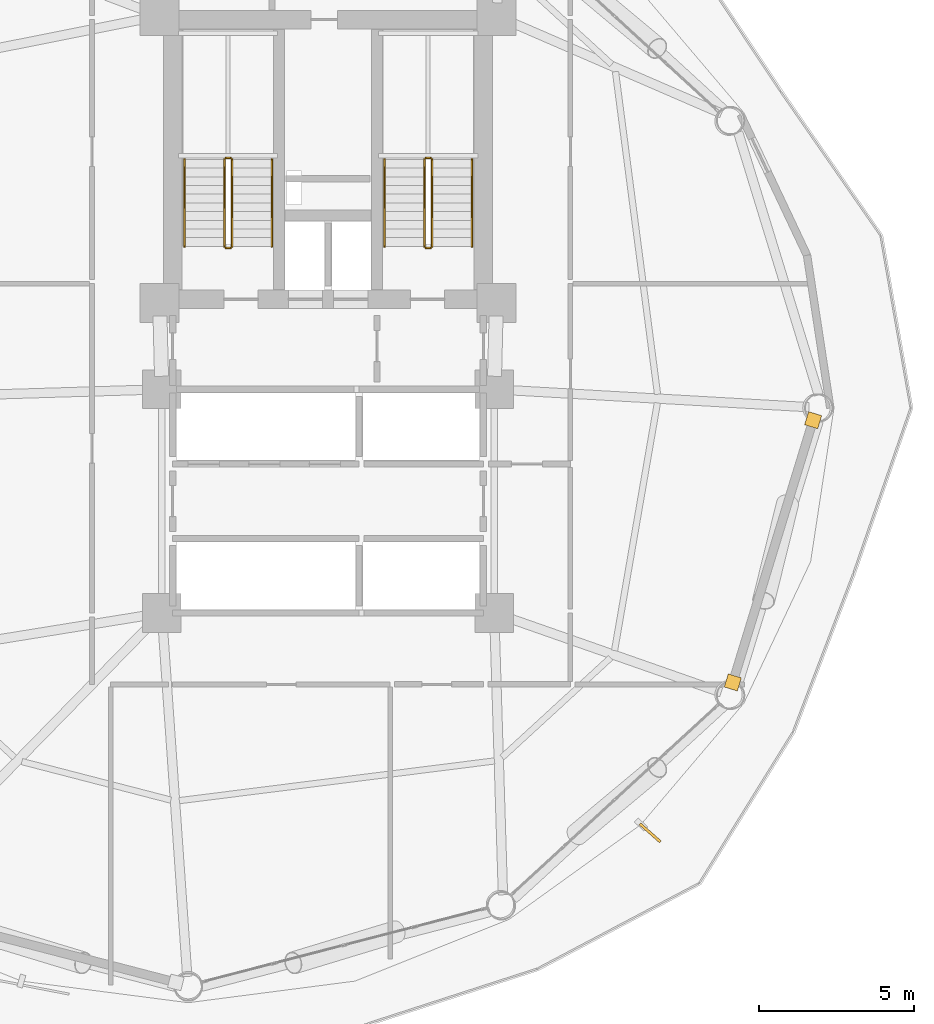
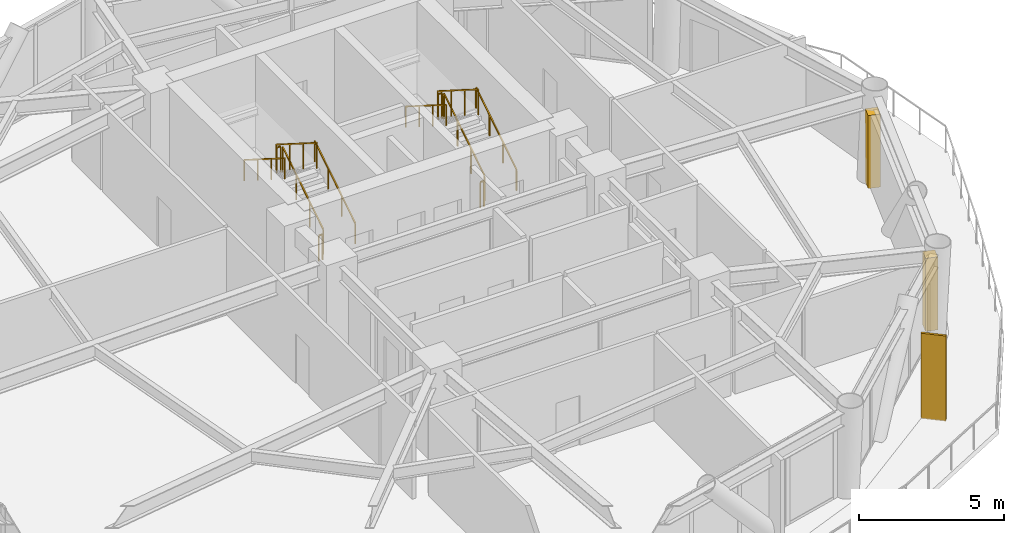
# One storey, part 22 of 23: 12 railings, 2 coverings, 1 shading device.
"""IFC4 building model written with IfcOpenShell, lengths in metres."""

from ifc_helpers import new_model, si_unit, direction, frame, origin, origin_2d, place, context, subcontext, project, spatial, rectangle, extrude, source, transform, mapped, material, layer, layer_set, type_object, type_shapes, element, save


model = new_model("IFC4")

# Units and contexts
model_context = context("Model", 3, precision=1e-05, world=origin(), true_north=direction((0.0, 1.0)))
body_context = subcontext(model_context, "Body", "Model", "MODEL_VIEW")
ifc_project = project(units=[si_unit("LENGTHUNIT", "METRE"), si_unit("AREAUNIT", "SQUARE_METRE"), si_unit("VOLUMEUNIT", "CUBIC_METRE"), si_unit("PLANEANGLEUNIT", "RADIAN"), si_unit("MASSUNIT", "GRAM", prefix="KILO")], contexts=[model_context])

# Site, building, storey
site_placement = place(None, origin())
site = spatial("IfcSite", under=ifc_project, at=site_placement, CompositionType="ELEMENT")
building_placement = place(site_placement, origin())
building = spatial("IfcBuilding", under=site, at=building_placement, Name="Varnakorn Sky Granary", CompositionType="ELEMENT")
storey_placement = place(building_placement, frame((0.0, 0.0, 31.5)))
storey = spatial("IfcBuildingStorey", under=building, at=storey_placement, Name="L07", CompositionType="ELEMENT", Elevation=31.5)

# Railings
ifc_material_1 = material(Name="Brushed Stainless Steel 316", Category="steel")
railing_type_1 = type_object("IfcRailingType", Name="RL-STAIR-1100", PredefinedType="GUARDRAIL", material=ifc_material_1)
railing_1_placement = place(storey_placement, frame((-0.090087890625, 5.199951171875, 0.17724609375)))
element("IfcRailing", 1, at=railing_1_placement, inside=storey, type_object=railing_type_1, Name="L07 ST-1 stair guard 1", PredefinedType="GUARDRAIL", context=body_context, shape_type="SweptSolid", body=[
    extrude(rectangle(XDim=0.048095703125, YDim=0.048095703125, at=origin_2d()), frame((0.0, 0.0, 1.076171875), z_axis=(0.0, 0.844908973607, 0.534910110503), x_axis=(-1.0, 0.0, 0.0)), (0.0, 0.0, 1.0), 3.31396484375),
    extrude(rectangle(XDim=0.0419921875, YDim=0.0419921875, at=origin_2d()), origin(), (0.0, 0.0, 1.0), 1.048095703125),
    extrude(rectangle(XDim=0.0419921875, YDim=0.0419921875, at=origin_2d()), frame((0.0, 0.933349609375, 0.5908203125)), (0.0, 0.0, 1.0), 1.048095703125),
    extrude(rectangle(XDim=0.0419921875, YDim=0.0419921875, at=origin_2d()), frame((0.0, 1.86669921875, 1.181884765625)), (0.0, 0.0, 1.0), 1.048095703125),
    extrude(rectangle(XDim=0.0419921875, YDim=0.0419921875, at=origin_2d()), frame((0.0, 2.800048828125, 1.772705078125)), (0.0, 0.0, 1.0), 1.048095703125),
])
railing_2_placement = place(storey_placement, frame((-0.139892578125, 8.050048828125, 1.949951171875)))
element("IfcRailing", 2, at=railing_2_placement, inside=storey, type_object=railing_type_1, Name="L07 ST-1 stair guard 2", PredefinedType="GUARDRAIL", context=body_context, shape_type="SweptSolid", body=[
    extrude(rectangle(XDim=0.048095703125, YDim=0.048095703125, at=origin_2d()), frame((0.0, 0.0, 1.076171875), z_axis=(-1.0, 0.0, 0.0), x_axis=(0.0, -1.0, 0.0)), (0.0, 0.0, 1.0), 0.150146484375),
    extrude(rectangle(XDim=0.0419921875, YDim=0.0419921875, at=origin_2d()), origin(), (0.0, 0.0, 1.0), 1.048095703125),
    extrude(rectangle(XDim=0.0419921875, YDim=0.0419921875, at=origin_2d()), frame((-0.150146484375, 0.0, 0.0)), (0.0, 0.0, 1.0), 1.048095703125),
])
railing_3_placement = place(storey_placement, frame((-0.340087890625, 8.0, 2.127197265625)))
element("IfcRailing", 3, at=railing_3_placement, inside=storey, type_object=railing_type_1, Name="L07 ST-1 stair guard 3", PredefinedType="GUARDRAIL", context=body_context, shape_type="SweptSolid", body=[
    extrude(rectangle(XDim=0.048095703125, YDim=0.048095703125, at=origin_2d()), frame((0.0, 0.0, 1.076171875), z_axis=(0.0, -0.844908973607, 0.534910110503), x_axis=(1.0, 0.0, 0.0)), (0.0, 0.0, 1.0), 3.31396484375),
    extrude(rectangle(XDim=0.0419921875, YDim=0.0419921875, at=origin_2d()), origin(), (0.0, 0.0, 1.0), 1.048095703125),
    extrude(rectangle(XDim=0.0419921875, YDim=0.0419921875, at=origin_2d()), frame((0.0, -0.933349609375, 0.5908203125)), (0.0, 0.0, 1.0), 1.048095703125),
    extrude(rectangle(XDim=0.0419921875, YDim=0.0419921875, at=origin_2d()), frame((0.0, -1.86669921875, 1.181884765625)), (0.0, 0.0, 1.0), 1.048095703125),
    extrude(rectangle(XDim=0.0419921875, YDim=0.0419921875, at=origin_2d()), frame((0.0, -2.800048828125, 1.772705078125)), (0.0, 0.0, 1.0), 1.048095703125),
])
railing_4_placement = place(storey_placement, frame((-0.139892578125, 5.14990234375, 0.0)))
element("IfcRailing", 4, at=railing_4_placement, inside=storey, type_object=railing_type_1, Name="L07 ST-1 stair guard 4", PredefinedType="GUARDRAIL", context=body_context, shape_type="SweptSolid", body=[
    extrude(rectangle(XDim=0.048095703125, YDim=0.048095703125, at=origin_2d()), frame((0.0, 0.0, 1.076171875), z_axis=(-1.0, 0.0, 0.0), x_axis=(0.0, -1.0, 0.0)), (0.0, 0.0, 1.0), 0.150146484375),
    extrude(rectangle(XDim=0.0419921875, YDim=0.0419921875, at=origin_2d()), origin(), (0.0, 0.0, 1.0), 1.048095703125),
    extrude(rectangle(XDim=0.0419921875, YDim=0.0419921875, at=origin_2d()), frame((-0.150146484375, 0.0, 0.0)), (0.0, 0.0, 1.0), 1.048095703125),
])
railing_5_placement = place(storey_placement, frame((6.35009765625, 5.199951171875, 0.17724609375)))
element("IfcRailing", 5, at=railing_5_placement, inside=storey, type_object=railing_type_1, Name="L07 ST-2 stair guard 1", PredefinedType="GUARDRAIL", context=body_context, shape_type="SweptSolid", body=[
    extrude(rectangle(XDim=0.048095703125, YDim=0.048095703125, at=origin_2d()), frame((0.0, 0.0, 1.076171875), z_axis=(0.0, 0.844908973607, 0.534910110503), x_axis=(-1.0, 0.0, 0.0)), (0.0, 0.0, 1.0), 3.31396484375),
    extrude(rectangle(XDim=0.0419921875, YDim=0.0419921875, at=origin_2d()), origin(), (0.0, 0.0, 1.0), 1.048095703125),
    extrude(rectangle(XDim=0.0419921875, YDim=0.0419921875, at=origin_2d()), frame((0.0, 0.933349609375, 0.5908203125)), (0.0, 0.0, 1.0), 1.048095703125),
    extrude(rectangle(XDim=0.0419921875, YDim=0.0419921875, at=origin_2d()), frame((0.0, 1.86669921875, 1.181884765625)), (0.0, 0.0, 1.0), 1.048095703125),
    extrude(rectangle(XDim=0.0419921875, YDim=0.0419921875, at=origin_2d()), frame((0.0, 2.800048828125, 1.772705078125)), (0.0, 0.0, 1.0), 1.048095703125),
])
railing_6_placement = place(storey_placement, frame((6.300048828125, 8.050048828125, 1.949951171875)))
element("IfcRailing", 6, at=railing_6_placement, inside=storey, type_object=railing_type_1, Name="L07 ST-2 stair guard 2", PredefinedType="GUARDRAIL", context=body_context, shape_type="SweptSolid", body=[
    extrude(rectangle(XDim=0.048095703125, YDim=0.048095703125, at=origin_2d()), frame((0.0, 0.0, 1.076171875), z_axis=(-1.0, 0.0, 0.0), x_axis=(0.0, -1.0, 0.0)), (0.0, 0.0, 1.0), 0.150146484375),
    extrude(rectangle(XDim=0.0419921875, YDim=0.0419921875, at=origin_2d()), origin(), (0.0, 0.0, 1.0), 1.048095703125),
    extrude(rectangle(XDim=0.0419921875, YDim=0.0419921875, at=origin_2d()), frame((-0.150146484375, 0.0, 0.0)), (0.0, 0.0, 1.0), 1.048095703125),
])
railing_7_placement = place(storey_placement, frame((6.10009765625, 8.0, 2.127197265625)))
element("IfcRailing", 7, at=railing_7_placement, inside=storey, type_object=railing_type_1, Name="L07 ST-2 stair guard 3", PredefinedType="GUARDRAIL", context=body_context, shape_type="SweptSolid", body=[
    extrude(rectangle(XDim=0.048095703125, YDim=0.048095703125, at=origin_2d()), frame((0.0, 0.0, 1.076171875), z_axis=(0.0, -0.844908973607, 0.534910110503), x_axis=(1.0, 0.0, 0.0)), (0.0, 0.0, 1.0), 3.31396484375),
    extrude(rectangle(XDim=0.0419921875, YDim=0.0419921875, at=origin_2d()), origin(), (0.0, 0.0, 1.0), 1.048095703125),
    extrude(rectangle(XDim=0.0419921875, YDim=0.0419921875, at=origin_2d()), frame((0.0, -0.933349609375, 0.5908203125)), (0.0, 0.0, 1.0), 1.048095703125),
    extrude(rectangle(XDim=0.0419921875, YDim=0.0419921875, at=origin_2d()), frame((0.0, -1.86669921875, 1.181884765625)), (0.0, 0.0, 1.0), 1.048095703125),
    extrude(rectangle(XDim=0.0419921875, YDim=0.0419921875, at=origin_2d()), frame((0.0, -2.800048828125, 1.772705078125)), (0.0, 0.0, 1.0), 1.048095703125),
])
railing_8_placement = place(storey_placement, frame((6.300048828125, 5.14990234375, 0.0)))
element("IfcRailing", 8, at=railing_8_placement, inside=storey, type_object=railing_type_1, Name="L07 ST-2 stair guard 4", PredefinedType="GUARDRAIL", context=body_context, shape_type="SweptSolid", body=[
    extrude(rectangle(XDim=0.048095703125, YDim=0.048095703125, at=origin_2d()), frame((0.0, 0.0, 1.076171875), z_axis=(-1.0, 0.0, 0.0), x_axis=(0.0, -1.0, 0.0)), (0.0, 0.0, 1.0), 0.150146484375),
    extrude(rectangle(XDim=0.0419921875, YDim=0.0419921875, at=origin_2d()), origin(), (0.0, 0.0, 1.0), 1.048095703125),
    extrude(rectangle(XDim=0.0419921875, YDim=0.0419921875, at=origin_2d()), frame((-0.150146484375, 0.0, 0.0)), (0.0, 0.0, 1.0), 1.048095703125),
])
railing_type_2 = type_object("IfcRailingType", Name="RL-STAIR-920", PredefinedType="HANDRAIL", material=ifc_material_1)
railing_9_placement = place(storey_placement, frame((1.18994140625, 5.199951171875, 0.17724609375)))
element("IfcRailing", 9, at=railing_9_placement, inside=storey, type_object=railing_type_2, Name="L07 ST-1 stair handrail 1", PredefinedType="HANDRAIL", context=body_context, shape_type="SweptSolid", body=[
    extrude(rectangle(XDim=0.048095703125, YDim=0.048095703125, at=origin_2d()), frame((0.0, 0.0, 0.8759765625), z_axis=(0.0, 0.844908973607, 0.534910110503), x_axis=(-1.0, 0.0, 0.0)), (0.0, 0.0, 1.0), 3.31396484375),
    extrude(rectangle(XDim=0.0419921875, YDim=0.0419921875, at=origin_2d()), origin(), (0.0, 0.0, 1.0), 0.847900390625),
    extrude(rectangle(XDim=0.0419921875, YDim=0.0419921875, at=origin_2d()), frame((0.0, 0.933349609375, 0.5908203125)), (0.0, 0.0, 1.0), 0.847900390625),
    extrude(rectangle(XDim=0.0419921875, YDim=0.0419921875, at=origin_2d()), frame((0.0, 1.86669921875, 1.181884765625)), (0.0, 0.0, 1.0), 0.847900390625),
    extrude(rectangle(XDim=0.0419921875, YDim=0.0419921875, at=origin_2d()), frame((0.0, 2.800048828125, 1.772705078125)), (0.0, 0.0, 1.0), 0.847900390625),
])
railing_10_placement = place(storey_placement, frame((-1.6201171875, 8.0, 2.127197265625)))
element("IfcRailing", 10, at=railing_10_placement, inside=storey, type_object=railing_type_2, Name="L07 ST-1 stair handrail 2", PredefinedType="HANDRAIL", context=body_context, shape_type="SweptSolid", body=[
    extrude(rectangle(XDim=0.048095703125, YDim=0.048095703125, at=origin_2d()), frame((0.0, 0.0, 0.8759765625), z_axis=(0.0, -0.844908973607, 0.534910110503), x_axis=(1.0, 0.0, 0.0)), (0.0, 0.0, 1.0), 3.31396484375),
    extrude(rectangle(XDim=0.0419921875, YDim=0.0419921875, at=origin_2d()), origin(), (0.0, 0.0, 1.0), 0.847900390625),
    extrude(rectangle(XDim=0.0419921875, YDim=0.0419921875, at=origin_2d()), frame((0.0, -0.933349609375, 0.5908203125)), (0.0, 0.0, 1.0), 0.847900390625),
    extrude(rectangle(XDim=0.0419921875, YDim=0.0419921875, at=origin_2d()), frame((0.0, -1.86669921875, 1.181884765625)), (0.0, 0.0, 1.0), 0.847900390625),
    extrude(rectangle(XDim=0.0419921875, YDim=0.0419921875, at=origin_2d()), frame((0.0, -2.800048828125, 1.772705078125)), (0.0, 0.0, 1.0), 0.847900390625),
])
railing_11_placement = place(storey_placement, frame((7.6298828125, 5.199951171875, 0.17724609375)))
element("IfcRailing", 11, at=railing_11_placement, inside=storey, type_object=railing_type_2, Name="L07 ST-2 stair handrail 1", PredefinedType="HANDRAIL", context=body_context, shape_type="SweptSolid", body=[
    extrude(rectangle(XDim=0.048095703125, YDim=0.048095703125, at=origin_2d()), frame((0.0, 0.0, 0.8759765625), z_axis=(0.0, 0.844908973607, 0.534910110503), x_axis=(-1.0, 0.0, 0.0)), (0.0, 0.0, 1.0), 3.31396484375),
    extrude(rectangle(XDim=0.0419921875, YDim=0.0419921875, at=origin_2d()), origin(), (0.0, 0.0, 1.0), 0.847900390625),
    extrude(rectangle(XDim=0.0419921875, YDim=0.0419921875, at=origin_2d()), frame((0.0, 0.933349609375, 0.5908203125)), (0.0, 0.0, 1.0), 0.847900390625),
    extrude(rectangle(XDim=0.0419921875, YDim=0.0419921875, at=origin_2d()), frame((0.0, 1.86669921875, 1.181884765625)), (0.0, 0.0, 1.0), 0.847900390625),
    extrude(rectangle(XDim=0.0419921875, YDim=0.0419921875, at=origin_2d()), frame((0.0, 2.800048828125, 1.772705078125)), (0.0, 0.0, 1.0), 0.847900390625),
])
railing_12_placement = place(storey_placement, frame((4.820068359375, 8.0, 2.127197265625)))
element("IfcRailing", 12, at=railing_12_placement, inside=storey, type_object=railing_type_2, Name="L07 ST-2 stair handrail 2", PredefinedType="HANDRAIL", context=body_context, shape_type="SweptSolid", body=[
    extrude(rectangle(XDim=0.048095703125, YDim=0.048095703125, at=origin_2d()), frame((0.0, 0.0, 0.8759765625), z_axis=(0.0, -0.844908973607, 0.534910110503), x_axis=(1.0, 0.0, 0.0)), (0.0, 0.0, 1.0), 3.31396484375),
    extrude(rectangle(XDim=0.0419921875, YDim=0.0419921875, at=origin_2d()), origin(), (0.0, 0.0, 1.0), 0.847900390625),
    extrude(rectangle(XDim=0.0419921875, YDim=0.0419921875, at=origin_2d()), frame((0.0, -0.933349609375, 0.5908203125)), (0.0, 0.0, 1.0), 0.847900390625),
    extrude(rectangle(XDim=0.0419921875, YDim=0.0419921875, at=origin_2d()), frame((0.0, -1.86669921875, 1.181884765625)), (0.0, 0.0, 1.0), 0.847900390625),
    extrude(rectangle(XDim=0.0419921875, YDim=0.0419921875, at=origin_2d()), frame((0.0, -2.800048828125, 1.772705078125)), (0.0, 0.0, 1.0), 0.847900390625),
])

# Shading device
ifc_material_2 = material(Name="Anodised Bronze Aluminium Alloy 6063-T6", Category="aluminium")
shading_device_type = type_object("IfcShadingDeviceType", Name="SH-FIN-01", PredefinedType="USERDEFINED", material=ifc_material_2)
shared_shape_1 = source(origin(), body_context, "Body", "SweptSolid", [
    extrude(rectangle(XDim=0.0849609375, YDim=0.8798828125, at=origin_2d()), origin(), (0.0, 0.0, 1.0), 3.60009765625),
])
type_shapes(shading_device_type, [shared_shape_1])
shading_device_placement = place(storey_placement, frame((13.369873046875, -13.677978515625, -0.0400390625), z_axis=(0.0, 0.0, 1.0), x_axis=(0.659686282139, 0.751541089468, 0.0)))
element("IfcShadingDevice", 13, at=shading_device_placement, inside=storey, type_object=shading_device_type, Name="Bronze Solar-Tracking Vertical Blade FIN L07-11", ObjectType="FIN", PredefinedType="USERDEFINED", context=body_context, shape_type="MappedRepresentation", body=[
    mapped(shared_shape_1, transform((0.0, 0.0, 0.0), x_axis=(1.0, 0.0, 0.0), y_axis=(0.0, 1.0, 0.0), z_axis=(0.0, 0.0, 1.0), scale=1.0)),
])

# Coverings
ifc_layer = layer(ifc_material_2, 0.050048828125, Name="Anodised Bronze Aluminium Alloy 6063-T6")
ifc_layer_set = layer_set([ifc_layer], Name="Anodised Bronze Aluminium Alloy 6063-T6")
covering_type = type_object("IfcCoveringType", Name="CV-CLAD-50", PredefinedType="CLADDING", material=ifc_layer_set)
shared_shape_2 = source(origin(), body_context, "Body", "SweptSolid", [
    extrude(rectangle(XDim=0.43994140625, YDim=0.43994140625, at=origin_2d()), origin(), (0.0, 0.0, 1.0), 3.080078125),
])
type_shapes(covering_type, [shared_shape_2])
for number, where, z_axis, x_axis, name in (
    (14, (18.6171875, -0.393798828125, -0.02001953125), (0.0, 0.0, 1.0), (-0.293039260085, -0.956100408978, 0.0), "Bronze Corner Pilaster Closure L07-P12-A"),
    (15, (16.030517578125, -8.836669921875, -0.02001953125), (0.0, 0.0, 1.0), (-0.293039260085, -0.956100408978, 0.0), "Bronze Corner Pilaster Closure L07-P12-B"),
):
    element("IfcCovering", number, at=place(storey_placement, frame(where, z_axis=z_axis, x_axis=x_axis)), inside=storey, type_object=covering_type, Name=name, PredefinedType="CLADDING", context=body_context, shape_type="MappedRepresentation", body=[
        mapped(shared_shape_2, transform((0.0, 0.0, 0.0), x_axis=(1.0, 0.0, 0.0), y_axis=(0.0, 1.0, 0.0), z_axis=(0.0, 0.0, 1.0), scale=1.0)),
    ])

save(model, "model.ifc")
